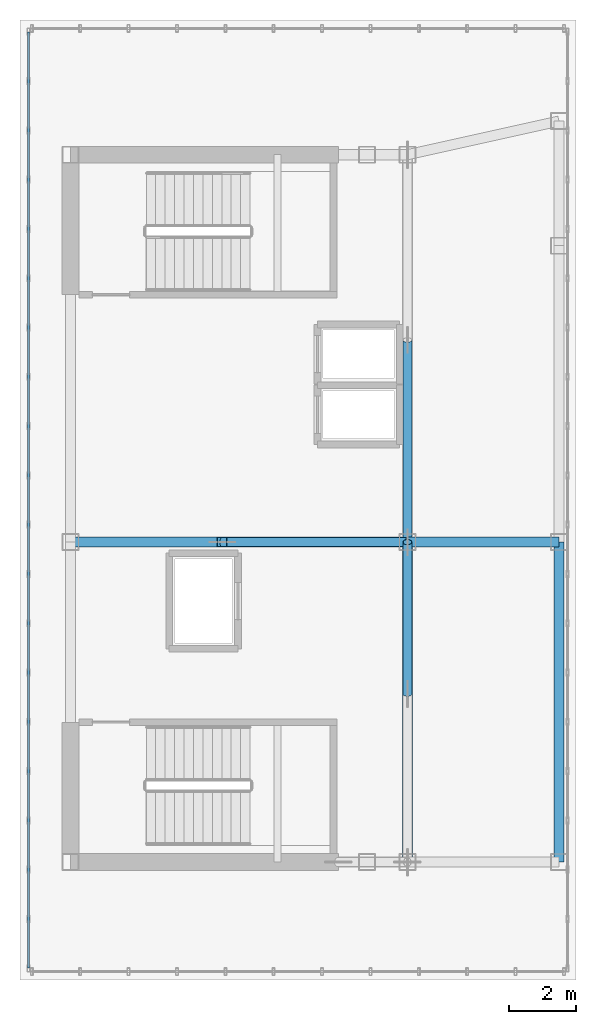
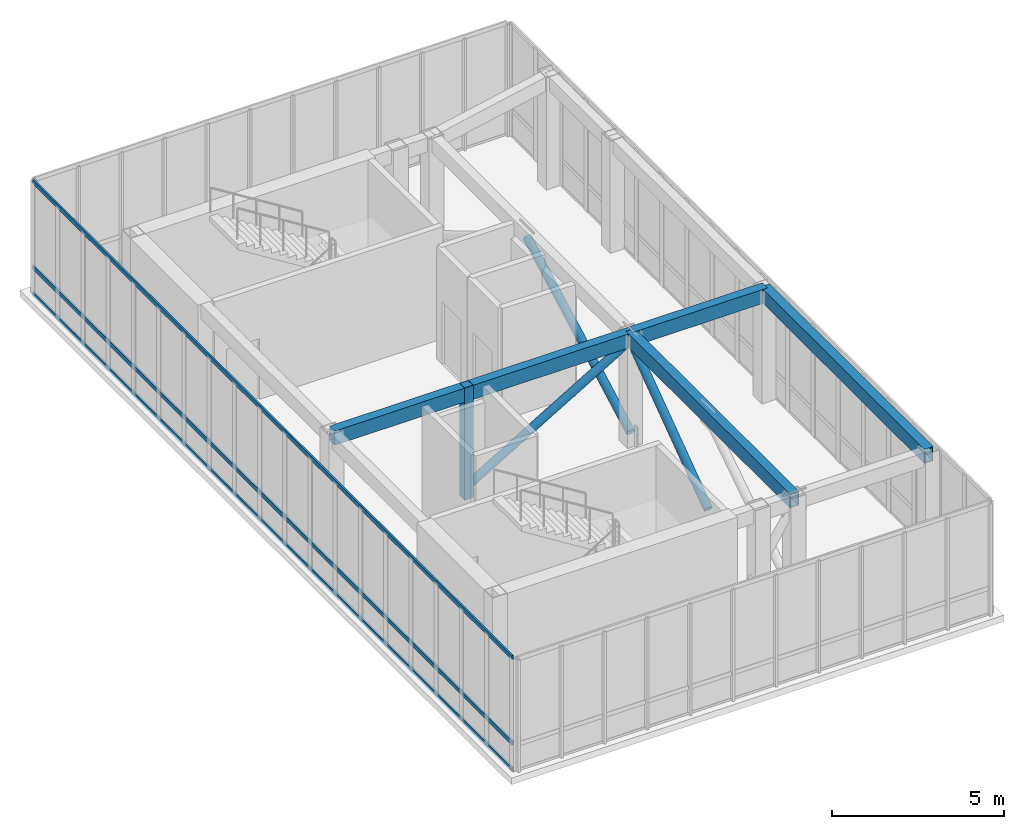
# One storey, part 4 of 13: 7 members, 4 beams, 1 element without a shape of its own.
"""IFC4 building model written with IfcOpenShell, lengths in metres."""

from ifc_helpers import new_model, si_unit, direction, frame, origin, origin_2d, place, context, subcontext, project, spatial, hollow_rectangle, hollow_circle, extrude, source, transform, mapped, material, layer, layer_set, material_profile, profile_set, type_object, element, aggregate, save


model = new_model("IFC4")

# Units and contexts
model_context = context("Model", 3, precision=1e-05, world=origin(), true_north=direction((0.0, 1.0)))
body_context = subcontext(model_context, "Body", "Model", "MODEL_VIEW")
ifc_project = project(units=[si_unit("LENGTHUNIT", "METRE"), si_unit("AREAUNIT", "SQUARE_METRE"), si_unit("VOLUMEUNIT", "CUBIC_METRE"), si_unit("PLANEANGLEUNIT", "RADIAN"), si_unit("MASSUNIT", "GRAM", prefix="KILO")], contexts=[model_context])

# Site, building, storey
site_placement = place(None, origin())
site = spatial("IfcSite", under=ifc_project, at=site_placement, CompositionType="ELEMENT")
building_placement = place(site_placement, origin())
building = spatial("IfcBuilding", under=site, at=building_placement, Name="Kharzan Plaza Tower", CompositionType="ELEMENT")
storey_placement = place(building_placement, frame((0.0, 0.0, 294.0)))
storey = spatial("IfcBuildingStorey", under=building, at=storey_placement, Name="L79-CROWN", CompositionType="ELEMENT", Elevation=294.0)

# Beams
ifc_material_1 = material(Name="Steel S355", Category="steel")
ifc_material_profile_1 = material_profile(ifc_material_1, hollow_rectangle(XDim=0.300048828125, YDim=0.5, WallThickness=0.02001953125, at=origin_2d()), Name="RHS500x300x20")
ifc_profile_set_1 = profile_set([ifc_material_profile_1], Name="Steel S355")
beam_type = type_object("IfcBeamType", Name="BM-CRN500", PredefinedType="BEAM", material=ifc_profile_set_1)
shared_shape_1 = source(origin(), body_context, "Body", "SweptSolid", [
    extrude(hollow_rectangle(XDim=0.300048828125, YDim=0.5, WallThickness=0.02001953125, at=origin_2d()), origin(), (0.0, 0.0, 1.0), 9.5),
])
for number, where, z_axis, x_axis, name in (
    (1, (19.0, 8.5, 3.719970703125), (0.0, 1.0, 0.0), (-1.0, 0.0, 0.0), "L79-CROWN CROWN FRAME Lantern Ring Beam CRB-E1"),
    (2, (14.5, 8.5, 3.719970703125), (0.0, 1.0, 0.0), (-1.0, 0.0, 0.0), "L79-CROWN CROWN FRAME Lantern Ring Beam CRB-M1"),
):
    element("IfcBeam", number, at=place(storey_placement, frame(where, z_axis=z_axis, x_axis=x_axis)), inside=storey, type_object=beam_type, Name=name, PredefinedType="BEAM", context=body_context, shape_type="MappedRepresentation", body=[
        mapped(shared_shape_1, transform((0.0, 0.0, 0.0), x_axis=(1.0, 0.0, 0.0), y_axis=(0.0, 1.0, 0.0), z_axis=(0.0, 0.0, 1.0))),
    ])
shared_shape_2 = source(origin(), body_context, "Body", "SweptSolid", [
    extrude(hollow_rectangle(XDim=0.300048828125, YDim=0.5, WallThickness=0.02001953125, at=origin_2d()), origin(), (0.0, 0.0, 1.0), 10.0),
])
beam_1_placement = place(storey_placement, frame((4.5, 18.0, 3.719970703125), z_axis=(1.0, 0.0, 0.0), x_axis=(0.0, 1.0, 0.0)))
element("IfcBeam", 3, at=beam_1_placement, inside=storey, type_object=beam_type, Name="L79-CROWN CROWN FRAME Lantern Ring Beam CRB-I1", PredefinedType="BEAM", context=body_context, shape_type="MappedRepresentation", body=[
    mapped(shared_shape_2, transform((0.0, 0.0, 0.0), x_axis=(1.0, 0.0, 0.0), y_axis=(0.0, 1.0, 0.0), z_axis=(0.0, 0.0, 1.0))),
])
shared_shape_3 = source(origin(), body_context, "Body", "SweptSolid", [
    extrude(hollow_rectangle(XDim=0.300048828125, YDim=0.5, WallThickness=0.02001953125, at=origin_2d()), origin(), (0.0, 0.0, 1.0), 4.5),
])
beam_2_placement = place(storey_placement, frame((14.5, 18.0, 3.719970703125), z_axis=(1.0, 0.0, 0.0), x_axis=(0.0, 1.0, 0.0)))
element("IfcBeam", 4, at=beam_2_placement, inside=storey, type_object=beam_type, Name="L79-CROWN CROWN FRAME Lantern Ring Beam CRB-I2", PredefinedType="BEAM", context=body_context, shape_type="MappedRepresentation", body=[
    mapped(shared_shape_3, transform((0.0, 0.0, 0.0), x_axis=(1.0, 0.0, 0.0), y_axis=(0.0, 1.0, 0.0), z_axis=(0.0, 0.0, 1.0))),
])

# Members
ifc_material_profile_2 = material_profile(ifc_material_1, hollow_circle(Radius=0.136474609375, WallThickness=0.010009765625, at=origin_2d()), Name="CHS273x10")
ifc_profile_set_2 = profile_set([ifc_material_profile_2], Name="Steel S355")
member_type_1 = type_object("IfcMemberType", Name="MEM-CRN-DIAG", PredefinedType="BRACE", material=ifc_profile_set_2)
shared_shape_4 = source(origin(), body_context, "Body", "SweptSolid", [
    extrude(hollow_circle(Radius=0.136474609375, WallThickness=0.010009765625, at=origin_2d()), origin(), (0.0, 0.0, 1.0), 6.833251953125),
])
member_1_placement = place(storey_placement, frame((14.5, 18.0, 0.35009765625), z_axis=(0.0, 0.878062100793, 0.478546703207), x_axis=(-1.0, 0.0, 0.0)))
element("IfcMember", 5, at=member_1_placement, inside=storey, type_object=member_type_1, Name="L79-CROWN CROWN FRAME Diagonal Wind Brace CRD-E1", PredefinedType="BRACE", context=body_context, shape_type="MappedRepresentation", body=[
    mapped(shared_shape_4, transform((0.0, 0.0, 0.0), x_axis=(1.0, 0.0, 0.0), y_axis=(0.0, 1.0, 0.0), z_axis=(0.0, 0.0, 1.0))),
])
shared_shape_5 = source(origin(), body_context, "Body", "SweptSolid", [
    extrude(hollow_circle(Radius=0.136474609375, WallThickness=0.010009765625, at=origin_2d()), origin(), (0.0, 0.0, 1.0), 6.398681640625),
])
member_2_placement = place(storey_placement, frame((9.0, 18.0, 0.35009765625), z_axis=(0.859553101499, 0.0, 0.511046441827), x_axis=(0.0, 1.0, 0.0)))
element("IfcMember", 6, at=member_2_placement, inside=storey, type_object=member_type_1, Name="L79-CROWN CROWN FRAME Diagonal Wind Brace CRD-W1", PredefinedType="BRACE", context=body_context, shape_type="MappedRepresentation", body=[
    mapped(shared_shape_5, transform((0.0, 0.0, 0.0), x_axis=(1.0, 0.0, 0.0), y_axis=(0.0, 1.0, 0.0), z_axis=(0.0, 0.0, 1.0))),
])
shared_shape_6 = source(origin(), body_context, "Body", "SweptSolid", [
    extrude(hollow_circle(Radius=0.136474609375, WallThickness=0.010009765625, at=origin_2d()), origin(), (0.0, 0.0, 1.0), 5.562744140625),
])
member_3_placement = place(storey_placement, frame((14.5, 13.5, 0.35009765625), z_axis=(0.0, 0.808967567345, 0.587853276748), x_axis=(-1.0, 0.0, 0.0)))
element("IfcMember", 7, at=member_3_placement, inside=storey, type_object=member_type_1, Name="L79-CROWN CROWN FRAME Diagonal Wind Brace CRD-S2", PredefinedType="BRACE", context=body_context, shape_type="MappedRepresentation", body=[
    mapped(shared_shape_6, transform((0.0, 0.0, 0.0), x_axis=(1.0, 0.0, 0.0), y_axis=(0.0, 1.0, 0.0), z_axis=(0.0, 0.0, 1.0))),
])
ifc_material_profile_3 = material_profile(ifc_material_1, hollow_rectangle(XDim=0.300048828125, YDim=0.300048828125, WallThickness=0.01611328125, at=origin_2d()), Name="SHS300x300x16")
ifc_profile_set_3 = profile_set([ifc_material_profile_3], Name="Steel S355")
member_type_2 = type_object("IfcMemberType", Name="MEM-CRN-POST", PredefinedType="POST", material=ifc_profile_set_3)
shared_shape_7 = source(origin(), body_context, "Body", "SweptSolid", [
    extrude(hollow_rectangle(XDim=0.300048828125, YDim=0.300048828125, WallThickness=0.01611328125, at=origin_2d()), origin(), (0.0, 0.0, 1.0), 3.969970703125),
])
member_4_placement = place(storey_placement, frame((9.0, 18.0, 0.0), z_axis=(0.0, 0.0, 1.0), x_axis=(1.0, 0.0, 0.0)))
element("IfcMember", 8, at=member_4_placement, inside=storey, type_object=member_type_2, Name="L79-CROWN CROWN FRAME Lantern Post 1", PredefinedType="POST", context=body_context, shape_type="MappedRepresentation", body=[
    mapped(shared_shape_7, transform((0.0, 0.0, 0.0), x_axis=(1.0, 0.0, 0.0), y_axis=(0.0, 1.0, 0.0), z_axis=(0.0, 0.0, 1.0))),
])

# Curtain wall, members
ifc_material_2 = material(Name="Unitised Bronze-Anodized Aluminium and Low-E Glass", Category="aluminium")
ifc_layer = layer(ifc_material_2, 0.199951171875)
ifc_layer_set = layer_set([ifc_layer], Name="Unitised Bronze-Anodized Aluminium and Low-E Glass")
curtain_wall_type = type_object("IfcCurtainWallType", Name="CW-LANTERN-6", PredefinedType="NOTDEFINED", material=ifc_layer_set)
curtain_wall_placement = place(storey_placement, origin())
curtain_wall = element("IfcCurtainWall", 9, at=curtain_wall_placement, inside=storey, type_object=curtain_wall_type, Name="L79-CROWN Lantern Crown Illuminated Curtain Wall 4", PredefinedType="NOTDEFINED")
ifc_material_3 = material(Name="Anodized Bronze Aluminium", Category="aluminium")
ifc_material_profile_4 = material_profile(ifc_material_3, hollow_rectangle(XDim=0.06005859375, YDim=0.14990234375, WallThickness=0.00341796875, at=origin_2d()), Name="ALU-T150x60x3.5")
ifc_profile_set_4 = profile_set([ifc_material_profile_4], Name="Anodized Bronze Aluminium")
member_type_3 = type_object("IfcMemberType", Name="MEM-CW-TRN150", PredefinedType="USERDEFINED", material=ifc_profile_set_4)
shared_shape_8 = source(origin(), body_context, "Body", "SweptSolid", [
    extrude(hollow_rectangle(XDim=0.06005859375, YDim=0.14990234375, WallThickness=0.00341796875, at=origin_2d()), origin(), (0.0, 0.0, 1.0), 27.7998046875),
])
member_5_placement = place(storey_placement, frame((3.25, 33.14990234375, 0.0), z_axis=(0.0, -1.0, 0.0), x_axis=(1.0, 0.0, 0.0)))
member_5 = element("IfcMember", 10, at=member_5_placement, type_object=member_type_3, Name="L79-CROWN Curtain-Wall Transom 1", ObjectType="TRANSOM", PredefinedType="USERDEFINED", context=body_context, shape_type="MappedRepresentation", body=[
    mapped(shared_shape_8, transform((0.0, 0.0, 0.0), x_axis=(1.0, 0.0, 0.0), y_axis=(0.0, 1.0, 0.0), z_axis=(0.0, 0.0, 1.0))),
])
member_6_placement = place(storey_placement, frame((3.25, 33.14990234375, 0.949951171875), z_axis=(0.0, -1.0, 0.0), x_axis=(1.0, 0.0, 0.0)))
member_6 = element("IfcMember", 11, at=member_6_placement, type_object=member_type_3, Name="L79-CROWN Curtain-Wall Transom 2", ObjectType="TRANSOM", PredefinedType="USERDEFINED", context=body_context, shape_type="MappedRepresentation", body=[
    mapped(shared_shape_8, transform((0.0, 0.0, 0.0), x_axis=(1.0, 0.0, 0.0), y_axis=(0.0, 1.0, 0.0), z_axis=(0.0, 0.0, 1.0))),
])
member_7_placement = place(storey_placement, frame((3.25, 33.14990234375, 3.969970703125), z_axis=(0.0, -1.0, 0.0), x_axis=(1.0, 0.0, 0.0)))
member_7 = element("IfcMember", 12, at=member_7_placement, type_object=member_type_3, Name="L79-CROWN Curtain-Wall Transom 3", ObjectType="TRANSOM", PredefinedType="USERDEFINED", context=body_context, shape_type="MappedRepresentation", body=[
    mapped(shared_shape_8, transform((0.0, 0.0, 0.0), x_axis=(1.0, 0.0, 0.0), y_axis=(0.0, 1.0, 0.0), z_axis=(0.0, 0.0, 1.0))),
])
aggregate(curtain_wall, [member_5, member_6, member_7])

save(model, "model.ifc")
